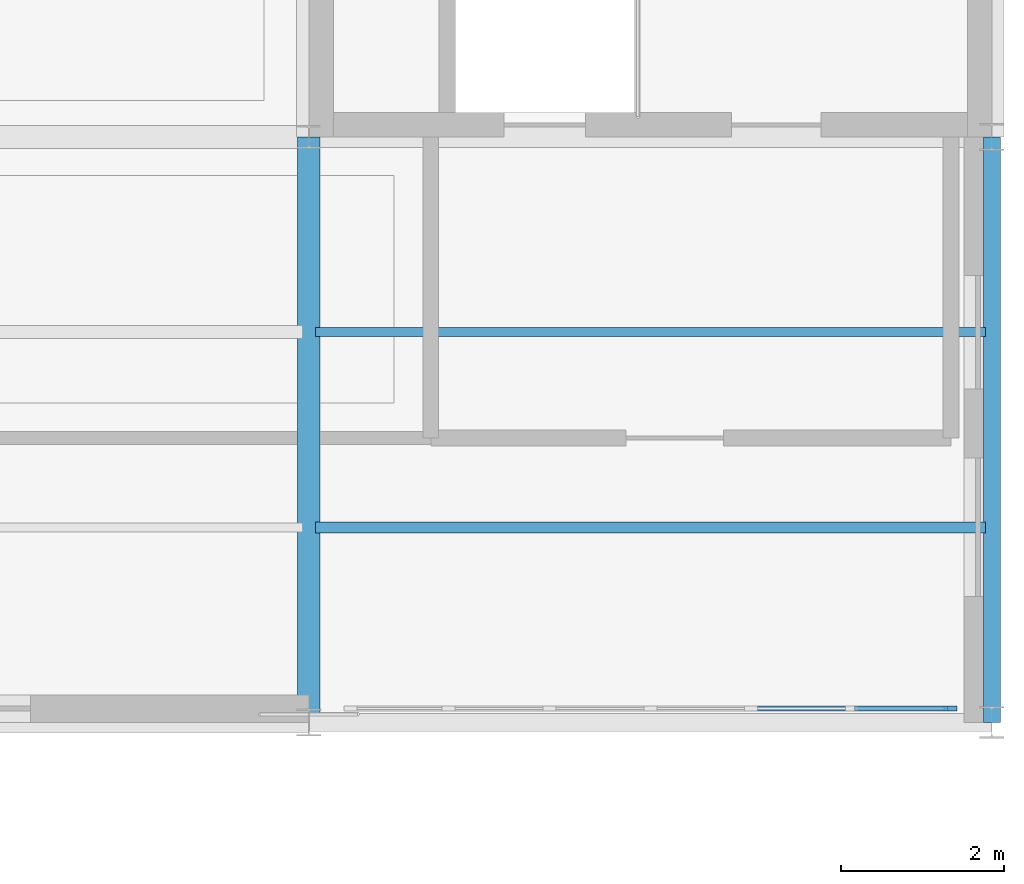
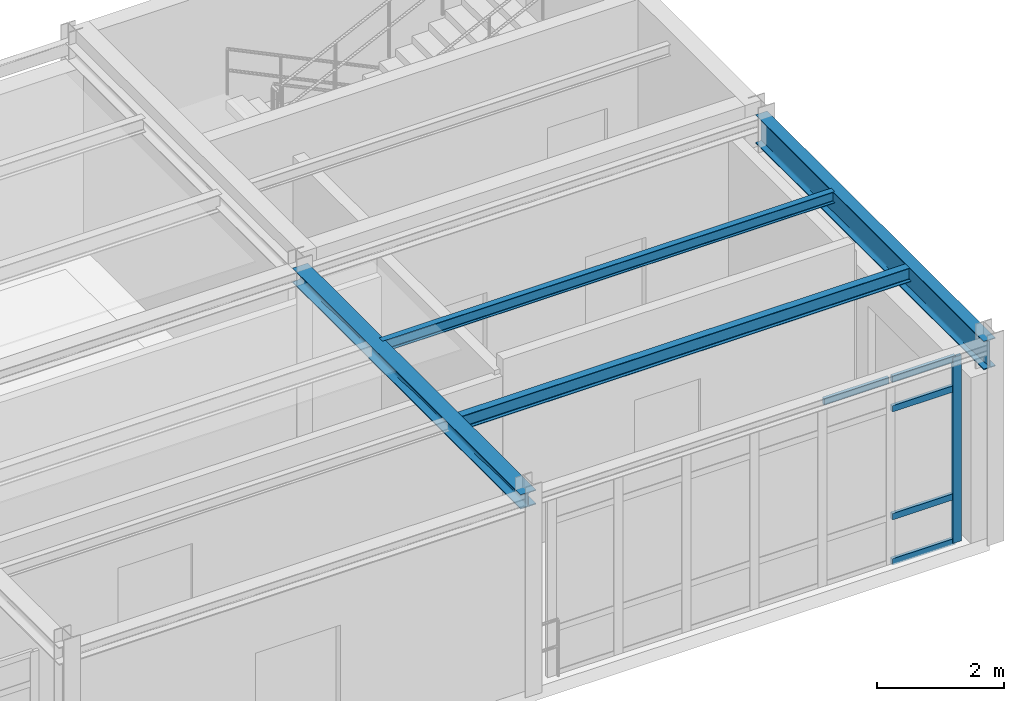
# One storey, part 7 of 20: 6 members, 4 beams, 1 element without a shape of its own.
"""IFC4 building model written with IfcOpenShell, lengths in metres."""

import ifcopenshell
import ifcopenshell.guid

model = None  # the IFC model being written
_history = None  # IfcOwnerHistory: only IFC2X3 demands one
_inside = {}  # id of a spatial element -> (the spatial element, [elements in it])
_under = {}  # id of a project, library or spatial element -> (it, [spatial elements below it])
_declared = {}  # id of a project -> (the project, [libraries it declares])
_typed = {}  # id of a type object -> (the type object, [elements of that type])
_made_of = {}  # id of a material, layer set ... -> (it, [elements and type objects made of it])


def new_model(schema):
    """Start an empty IFC model of exactly this schema.

    Asked for "IFC4X3", IfcOpenShell would pick the latest addendum, in which some entities
    have other attributes; the version numbers below select the first issue.
    IFC2X3 requires an IfcOwnerHistory on every rooted entity: one is made here for all.
    """
    global model, _history
    if schema == "IFC4X3":
        model = ifcopenshell.file(schema_version=(4, 3, 0, 0))
    else:
        model = ifcopenshell.file(schema=schema)
    _inside.clear()
    _under.clear()
    _declared.clear()
    _typed.clear()
    _made_of.clear()
    _history = None
    if model.schema == "IFC2X3":
        org = make("IfcOrganization", Name="unknown")
        user = make(
            "IfcPersonAndOrganization",
            ThePerson=make("IfcPerson", FamilyName="unknown"),
            TheOrganization=org,
        )
        app = make(
            "IfcApplication",
            ApplicationDeveloper=org,
            Version="unknown",
            ApplicationFullName="unknown",
            ApplicationIdentifier="unknown",
        )
        _history = make(
            "IfcOwnerHistory",
            OwningUser=user,
            OwningApplication=app,
            ChangeAction="ADDED",
            CreationDate=0,
        )
    return model


def make(cls, **values):
    """One entity of the class cls with the attributes given. An attribute that is None is left unset."""
    return model.create_entity(
        cls, **{name: value for name, value in values.items() if value is not None}
    )


def rooted(cls, **values):
    """An entity with a GlobalId (a new one), such as an element, a storey or a relation."""
    return make(cls, GlobalId=ifcopenshell.guid.new(), OwnerHistory=_history, **values)


def si_unit(unit_type, name, prefix=None):
    """IfcSIUnit, for example si_unit("LENGTHUNIT", "METRE", prefix="MILLI")."""
    return make("IfcSIUnit", UnitType=unit_type, Prefix=prefix, Name=name)


def derived_unit(unit_type, elements):
    """IfcDerivedUnit: a product of units, each with its exponent."""
    return make(
        "IfcDerivedUnit",
        Elements=[
            make("IfcDerivedUnitElement", Unit=unit, Exponent=power)
            for unit, power in elements
        ],
        UnitType=unit_type,
    )


def assignment(units):
    """IfcUnitAssignment: the units of a project."""
    return None if units is None else make("IfcUnitAssignment", Units=units)


def point(xyz):
    """IfcCartesianPoint."""
    return None if xyz is None else make("IfcCartesianPoint", Coordinates=xyz)


def direction(xyz):
    """IfcDirection."""
    return None if xyz is None else make("IfcDirection", DirectionRatios=xyz)


def frame(location, z_axis=None, x_axis=None):
    """IfcAxis2Placement3D, a coordinate frame: its origin and axes. An axis left out is left unset."""
    return make(
        "IfcAxis2Placement3D",
        Location=point(location),
        Axis=direction(z_axis),
        RefDirection=direction(x_axis),
    )


def frame_2d(location, x_axis=None):
    """IfcAxis2Placement2D, a coordinate frame in the plane: its origin and x axis."""
    return make(
        "IfcAxis2Placement2D", Location=point(location), RefDirection=direction(x_axis)
    )


def origin():
    """The frame at (0, 0, 0) with its axes left unset."""
    return frame((0.0, 0.0, 0.0))


def origin_2d():
    """The frame at (0, 0) in the plane with its x axis left unset."""
    return frame_2d((0.0, 0.0))


def place(relative_to, where):
    """IfcLocalPlacement: puts the frame where relative to a parent placement (None: the world)."""
    return make(
        "IfcLocalPlacement", PlacementRelTo=relative_to, RelativePlacement=where
    )


def context(
    kind, dimensions, precision=None, world=None, true_north=None, identifier=None
):
    """IfcGeometricRepresentationContext, for example the 3D "Model" context."""
    return make(
        "IfcGeometricRepresentationContext",
        ContextIdentifier=identifier,
        ContextType=kind,
        CoordinateSpaceDimension=dimensions,
        Precision=precision,
        WorldCoordinateSystem=world,
        TrueNorth=true_north,
    )


def subcontext(parent, identifier, kind, view, scale=None):
    """IfcGeometricRepresentationSubContext, for example "Body" below "Model"."""
    return make(
        "IfcGeometricRepresentationSubContext",
        ContextIdentifier=identifier,
        ContextType=kind,
        ParentContext=parent,
        TargetScale=scale,
        TargetView=view,
    )


def project(units=None, contexts=None):
    """IfcProject with its units and contexts."""
    return rooted(
        "IfcProject",
        Name="project",
        RepresentationContexts=contexts,
        UnitsInContext=assignment(units),
    )


def spatial(cls, under=None, at=None, **own):
    """A site, building, storey or space (cls), placed at a placement, below another one or the project."""
    s = rooted(cls, ObjectPlacement=at, **own)
    if under is not None:
        _under.setdefault(under.id(), (under, []))[1].append(s)
    return s


def profile(cls, at=None, kind="AREA", **sizes):
    """A parametric profile (cls). Its sizes go by their IFC names, for example OverallWidth=200.0."""
    return make(cls, ProfileType=kind, Position=at, **sizes)


def rectangle(**sizes):
    """IfcRectangleProfileDef."""
    return profile("IfcRectangleProfileDef", **sizes)


def i_section(**sizes):
    """IfcIShapeProfileDef."""
    return profile("IfcIShapeProfileDef", **sizes)


def extrude(swept, where, along, depth):
    """IfcExtrudedAreaSolid: the profile swept, set in the frame where, extruded along a direction by depth."""
    return make(
        "IfcExtrudedAreaSolid",
        SweptArea=swept,
        Position=where,
        ExtrudedDirection=direction(along),
        Depth=depth,
    )


def shape(context_of_items, identifier, shape_type, items):
    """IfcShapeRepresentation: the items that make up one representation, for example the "Body"."""
    return make(
        "IfcShapeRepresentation",
        ContextOfItems=context_of_items,
        RepresentationIdentifier=identifier,
        RepresentationType=shape_type,
        Items=items,
    )


def material(Name=None, Category=None):
    """IfcMaterial."""
    return make("IfcMaterial", Name=Name, Category=Category)


def layer(
    of_material, thickness, ventilated=None, Name=None, Category=None, Priority=None
):
    """IfcMaterialLayer: one layer of a wall or slab, of a material (None: an air gap)."""
    return make(
        "IfcMaterialLayer",
        Material=of_material,
        LayerThickness=thickness,
        IsVentilated=ventilated,
        Name=Name,
        Category=Category,
        Priority=Priority,
    )


def layer_set(layers, Name=None):
    """IfcMaterialLayerSet."""
    return make("IfcMaterialLayerSet", MaterialLayers=layers, LayerSetName=Name)


def material_profile(
    of_material, cross_section, Name=None, Category=None, Priority=None
):
    """IfcMaterialProfile: a cross section and its material."""
    return make(
        "IfcMaterialProfile",
        Name=Name,
        Material=of_material,
        Profile=cross_section,
        Priority=Priority,
        Category=Category,
    )


def profile_set(profiles, Name=None, composite=None):
    """IfcMaterialProfileSet."""
    return make(
        "IfcMaterialProfileSet",
        Name=Name,
        MaterialProfiles=profiles,
        CompositeProfile=composite,
    )


def made_of(thing, what):
    """Note that an element or type object is made of a material, layer set ...; save() writes the relation."""
    if what is not None:
        _made_of.setdefault(what.id(), (what, []))[1].append(thing)
    return thing


def type_object(cls, material=None, **own):
    """A type object (cls), such as IfcWallType, which elements share."""
    return made_of(rooted(cls, **own), material)


def element(
    cls,
    number,
    at=None,
    inside=None,
    cuts=None,
    type_object=None,
    material=None,
    context=None,
    identifier="Body",
    shape_type=None,
    held_by="IfcProductDefinitionShape",
    body=None,
    shapes=None,
    **own,
):
    """One element of the class cls, such as IfcWall. Its Tag is "e" and its number.

    at: its placement. inside: the storey or other place that contains it. cuts: it is an
    opening in that element (IfcRelVoidsElement). A single representation is given by context,
    identifier, shape_type and body (its items); several are given by shapes. held_by: the class
    of the entity that holds the representations. save() writes the other relations.
    """
    e = rooted(cls, Tag="e%d" % number, ObjectPlacement=at, **own)
    if body is not None:
        shapes = [shape(context, identifier, shape_type, body)]
    if shapes is not None:
        e.Representation = make(held_by, Representations=shapes)
    if inside is not None:
        _inside.setdefault(inside.id(), (inside, []))[1].append(e)
    if cuts is not None:
        rooted(
            "IfcRelVoidsElement", RelatingBuildingElement=cuts, RelatedOpeningElement=e
        )
    if type_object is not None:
        _typed.setdefault(type_object.id(), (type_object, []))[1].append(e)
    return made_of(e, material)


def aggregate(whole, parts):
    """IfcRelAggregates: a whole, such as a stair, and the parts it consists of."""
    return rooted("IfcRelAggregates", RelatingObject=whole, RelatedObjects=parts)


def save(model, path):
    """Write the relations noted so far, then the file.

    IfcRelAggregates (storeys below a building ...), IfcRelContainedInSpatialStructure (elements
    in a storey), IfcRelDefinesByType, IfcRelAssociatesMaterial and IfcRelDeclares: one each for
    every whole, place, type object, material and project.
    """
    for whole, parts in _under.values():
        aggregate(whole, parts)
    for where, things in _inside.values():
        rooted(
            "IfcRelContainedInSpatialStructure",
            RelatedElements=things,
            RelatingStructure=where,
        )
    for kind, things in _typed.values():
        rooted("IfcRelDefinesByType", RelatedObjects=things, RelatingType=kind)
    for what, things in _made_of.values():
        rooted("IfcRelAssociatesMaterial", RelatedObjects=things, RelatingMaterial=what)
    for by, libraries in _declared.values():
        rooted("IfcRelDeclares", RelatingContext=by, RelatedDefinitions=libraries)
    model.write(path)


model = new_model("IFC4")

# Units and contexts
model_context = context("Model", 3, precision=1e-05, world=origin(), true_north=direction((0.0, 1.0)))
body_context = subcontext(model_context, "Body", "Model", "MODEL_VIEW")
ifc_project = project(units=[si_unit("LENGTHUNIT", "METRE"), si_unit("AREAUNIT", "SQUARE_METRE"), si_unit("VOLUMEUNIT", "CUBIC_METRE"), si_unit("PLANEANGLEUNIT", "RADIAN"), si_unit("MASSUNIT", "GRAM", prefix="KILO"), derived_unit("THERMALTRANSMITTANCEUNIT", [(si_unit("POWERUNIT", "WATT"), 1), (si_unit("AREAUNIT", "SQUARE_METRE"), -1), (si_unit("THERMODYNAMICTEMPERATUREUNIT", "KELVIN"), -1)])], contexts=[model_context])

# Site, building, storey
site_placement = place(None, origin())
site = spatial("IfcSite", under=ifc_project, at=site_placement, CompositionType="ELEMENT")
building_placement = place(site_placement, origin())
building = spatial("IfcBuilding", under=site, at=building_placement, Name="Yasenodar Specialist Clinic", CompositionType="ELEMENT")
storey_placement = place(building_placement, frame((0.0, 0.0, 25.35009765625)))
storey = spatial("IfcBuildingStorey", under=building, at=storey_placement, Name="L06", CompositionType="ELEMENT", Elevation=25.35009765625)

# Beams
ifc_material_1 = material(Name="Steel S355", Category="steel")
ifc_material_profile_1 = material_profile(ifc_material_1, i_section(OverallWidth=0.280029296875, OverallDepth=0.280029296875, WebThickness=0.010498046875, FlangeThickness=0.01806640625, FilletRadius=0.02392578125, at=origin_2d()), Name="HEB 280")
ifc_profile_set_1 = profile_set([ifc_material_profile_1], Name="Steel S355")
beam_type_1 = type_object("IfcBeamType", Name="BM-HEB280", PredefinedType="BEAM", material=ifc_profile_set_1)
beam_1_placement = place(storey_placement, frame((113.39990234375, 97.199951171875, 3.669921875), z_axis=(0.0, 1.0, 0.0), x_axis=(-1.0, 0.0, 0.0)))
element("IfcBeam", 1, at=beam_1_placement, inside=storey, type_object=beam_type_1, Name="L06 Primary N-S Girder", PredefinedType="BEAM", context=body_context, shape_type="SweptSolid", body=[
    extrude(i_section(OverallWidth=0.280029296875, OverallDepth=0.280029296875, WebThickness=0.010498046875, FlangeThickness=0.01806640625, FilletRadius=0.02392578125, at=origin_2d()), origin(), (0.0, 0.0, 1.0), 7.199951171875),
])
ifc_material_profile_2 = material_profile(ifc_material_1, i_section(OverallWidth=0.2099609375, OverallDepth=0.550048828125, WebThickness=0.010986328125, FlangeThickness=0.01708984375, FilletRadius=0.02392578125, at=origin_2d()), Name="IPE 550")
ifc_profile_set_2 = profile_set([ifc_material_profile_2], Name="Steel S355")
beam_type_2 = type_object("IfcBeamType", Name="BM-IPE550", PredefinedType="BEAM", material=ifc_profile_set_2)
beam_2_placement = place(storey_placement, frame((121.800048828125, 97.199951171875, 3.534912109375), z_axis=(0.0, 1.0, 0.0), x_axis=(-1.0, 0.0, 0.0)))
element("IfcBeam", 2, at=beam_2_placement, inside=storey, type_object=beam_type_2, Name="L06 Primary N-S Girder", PredefinedType="BEAM", context=body_context, shape_type="SweptSolid", body=[
    extrude(i_section(OverallWidth=0.2099609375, OverallDepth=0.550048828125, WebThickness=0.010986328125, FlangeThickness=0.01708984375, FilletRadius=0.02392578125, at=origin_2d()), origin(), (0.0, 0.0, 1.0), 7.199951171875),
])

# Curtain wall, members
ifc_material_2 = material(Name="Bronze Anodized Aluminium and Triple Low-E Glass", Category="aluminium")
ifc_layer = layer(ifc_material_2, 0.215087890625)
ifc_layer_set = layer_set([ifc_layer], Name="Bronze Anodized Aluminium and Triple Low-E Glass")
curtain_wall_type = type_object("IfcCurtainWallType", Name="CW-SYS-05", PredefinedType="USERDEFINED", material=ifc_layer_set)
curtain_wall_placement = place(storey_placement, origin())
curtain_wall = element("IfcCurtainWall", 3, at=curtain_wall_placement, inside=storey, type_object=curtain_wall_type, Name="L06 Unitised Curtain Wall 168", ObjectType="UNITISED CURTAIN WALL", PredefinedType="USERDEFINED")
ifc_material_3 = material(Name="Bronze Anodized Aluminium", Category="aluminium")
ifc_material_profile_3 = material_profile(ifc_material_3, rectangle(XDim=0.06005859375, YDim=0.159912109375, at=origin_2d()), Name="CW-MULL 60x160")
ifc_profile_set_3 = profile_set([ifc_material_profile_3], Name="Bronze Anodized Aluminium")
member_type_1 = type_object("IfcMemberType", Name="CW-MULL-160", PredefinedType="MULLION", material=ifc_profile_set_3)
member_1_placement = place(storey_placement, frame((121.2900390625, 97.3701171875, 0.0), z_axis=(0.0, 0.0, 1.0), x_axis=(0.0, -1.0, 0.0)))
member_1 = element("IfcMember", 4, at=member_1_placement, type_object=member_type_1, Name="CW-05 mullion 1", PredefinedType="MULLION", context=body_context, shape_type="SweptSolid", body=[
    extrude(rectangle(XDim=0.06005859375, YDim=0.159912109375, at=origin_2d()), origin(), (0.0, 0.0, 1.0), 3.577880859375),
])
ifc_material_profile_4 = material_profile(ifc_material_3, rectangle(XDim=0.06005859375, YDim=0.1201171875, at=origin_2d()), Name="CW-TRAN 60x120")
ifc_profile_set_4 = profile_set([ifc_material_profile_4], Name="Bronze Anodized Aluminium")
member_type_2 = type_object("IfcMemberType", Name="CW-TRAN-120", PredefinedType="USERDEFINED", material=ifc_profile_set_4)
member_2_placement = place(storey_placement, frame((121.260009765625, 97.3701171875, 0.02978515625), z_axis=(-1.0, 0.0, 0.0), x_axis=(0.0, -1.0, 0.0)))
member_2 = element("IfcMember", 5, at=member_2_placement, type_object=member_type_2, Name="CW-05 transom 1.1", ObjectType="TRANSOM", PredefinedType="USERDEFINED", context=body_context, shape_type="SweptSolid", body=[
    extrude(rectangle(XDim=0.06005859375, YDim=0.1201171875, at=origin_2d()), origin(), (0.0, 0.0, 1.0), 1.14990234375),
])
member_3_placement = place(storey_placement, frame((121.260009765625, 97.3701171875, 0.89990234375), z_axis=(-1.0, 0.0, 0.0), x_axis=(0.0, -1.0, 0.0)))
member_3 = element("IfcMember", 6, at=member_3_placement, type_object=member_type_2, Name="CW-05 transom 1.2", ObjectType="TRANSOM", PredefinedType="USERDEFINED", context=body_context, shape_type="SweptSolid", body=[
    extrude(rectangle(XDim=0.06005859375, YDim=0.1201171875, at=origin_2d()), origin(), (0.0, 0.0, 1.0), 1.14990234375),
])
member_4_placement = place(storey_placement, frame((121.260009765625, 97.3701171875, 2.977783203125), z_axis=(-1.0, 0.0, 0.0), x_axis=(0.0, -1.0, 0.0)))
member_4 = element("IfcMember", 7, at=member_4_placement, type_object=member_type_2, Name="CW-05 transom 1.3", ObjectType="TRANSOM", PredefinedType="USERDEFINED", context=body_context, shape_type="SweptSolid", body=[
    extrude(rectangle(XDim=0.06005859375, YDim=0.1201171875, at=origin_2d()), origin(), (0.0, 0.0, 1.0), 1.14990234375),
])
member_5_placement = place(storey_placement, frame((121.260009765625, 97.3701171875, 3.5478515625), z_axis=(-1.0, 0.0, 0.0), x_axis=(0.0, -1.0, 0.0)))
member_5 = element("IfcMember", 8, at=member_5_placement, type_object=member_type_2, Name="CW-05 transom 1.4", ObjectType="TRANSOM", PredefinedType="USERDEFINED", context=body_context, shape_type="SweptSolid", body=[
    extrude(rectangle(XDim=0.06005859375, YDim=0.1201171875, at=origin_2d()), origin(), (0.0, 0.0, 1.0), 1.14990234375),
])
member_6_placement = place(storey_placement, frame((120.050048828125, 97.3701171875, 3.5478515625), z_axis=(-1.0, 0.0, 0.0), x_axis=(0.0, -1.0, 0.0)))
member_6 = element("IfcMember", 9, at=member_6_placement, type_object=member_type_2, Name="CW-05 transom 2.4", ObjectType="TRANSOM", PredefinedType="USERDEFINED", context=body_context, shape_type="SweptSolid", body=[
    extrude(rectangle(XDim=0.06005859375, YDim=0.1201171875, at=origin_2d()), origin(), (0.0, 0.0, 1.0), 1.179931640625),
])
aggregate(curtain_wall, [member_1, member_2, member_3, member_4, member_5, member_6])

# Beams
ifc_material_profile_5 = material_profile(ifc_material_1, i_section(OverallWidth=0.110107421875, OverallDepth=0.219970703125, WebThickness=0.005859375, FlangeThickness=0.00927734375, FilletRadius=0.011962890625, at=origin_2d()), Name="IPE 220")
ifc_profile_set_5 = profile_set([ifc_material_profile_5], Name="Steel S355")
beam_type_3 = type_object("IfcBeamType", Name="JS-IPE220", PredefinedType="JOIST", material=ifc_profile_set_5)
beam_3_placement = place(storey_placement, frame((113.47998046875, 102.0, 3.699951171875), z_axis=(1.0, 0.0, 0.0), x_axis=(0.0, 1.0, 0.0)))
element("IfcBeam", 10, at=beam_3_placement, inside=storey, type_object=beam_type_3, Name="L06 Composite Floor Joist", PredefinedType="JOIST", context=body_context, shape_type="SweptSolid", body=[
    extrude(i_section(OverallWidth=0.110107421875, OverallDepth=0.219970703125, WebThickness=0.005859375, FlangeThickness=0.00927734375, FilletRadius=0.011962890625, at=origin_2d()), origin(), (0.0, 0.0, 1.0), 8.239990234375),
])
ifc_material_profile_6 = material_profile(ifc_material_1, i_section(OverallWidth=0.135009765625, OverallDepth=0.27001953125, WebThickness=0.006591796875, FlangeThickness=0.01025390625, FilletRadius=0.014892578125, at=origin_2d()), Name="IPE 270")
ifc_profile_set_6 = profile_set([ifc_material_profile_6], Name="Steel S355")
beam_type_4 = type_object("IfcBeamType", Name="JS-IPE270", PredefinedType="JOIST", material=ifc_profile_set_6)
beam_4_placement = place(storey_placement, frame((113.47998046875, 99.60009765625, 3.6748046875), z_axis=(1.0, 0.0, 0.0), x_axis=(0.0, 1.0, 0.0)))
element("IfcBeam", 11, at=beam_4_placement, inside=storey, type_object=beam_type_4, Name="L06 Composite Floor Joist", PredefinedType="JOIST", context=body_context, shape_type="SweptSolid", body=[
    extrude(i_section(OverallWidth=0.135009765625, OverallDepth=0.27001953125, WebThickness=0.006591796875, FlangeThickness=0.01025390625, FilletRadius=0.014892578125, at=origin_2d()), origin(), (0.0, 0.0, 1.0), 8.239990234375),
])

save(model, "model.ifc")
